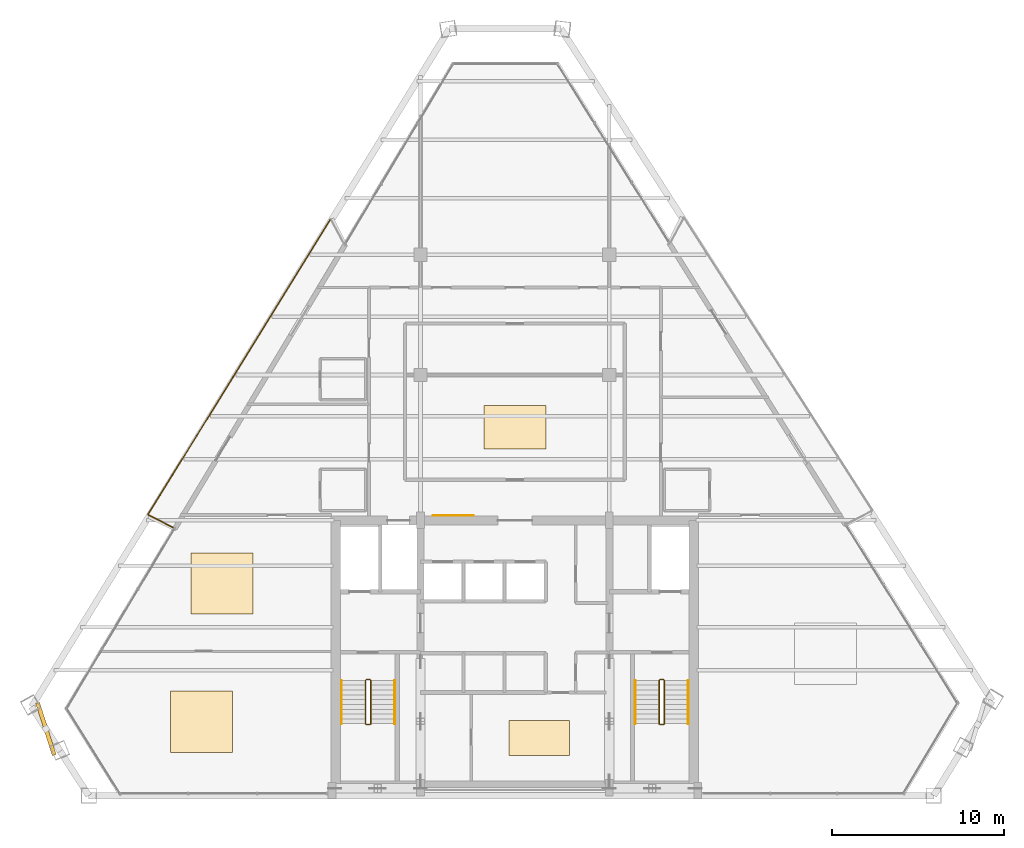
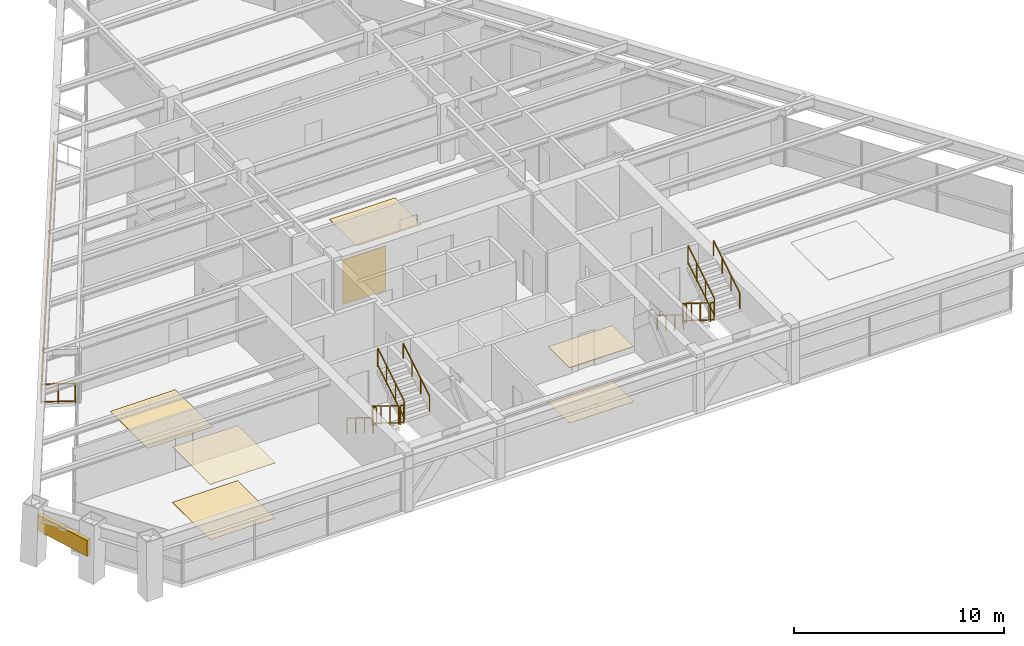
# One storey, part 11 of 12: 14 railings, 7 coverings, 1 shading device.
"""IFC4 building model written with IfcOpenShell, lengths in metres."""

from ifc_helpers import new_model, si_unit, direction, frame, origin, origin_2d, place, context, subcontext, project, spatial, rectangle, extrude, source, transform, mapped, material, layer, layer_set, type_object, type_shapes, element, save


model = new_model("IFC4")

# Units and contexts
model_context = context("Model", 3, precision=1e-05, world=origin(), true_north=direction((0.0, 1.0)))
body_context = subcontext(model_context, "Body", "Model", "MODEL_VIEW")
ifc_project = project(units=[si_unit("LENGTHUNIT", "METRE"), si_unit("AREAUNIT", "SQUARE_METRE"), si_unit("VOLUMEUNIT", "CUBIC_METRE"), si_unit("PLANEANGLEUNIT", "RADIAN"), si_unit("MASSUNIT", "GRAM", prefix="KILO")], contexts=[model_context])

# Site, building, storey
site_placement = place(None, origin())
site = spatial("IfcSite", under=ifc_project, at=site_placement, CompositionType="ELEMENT")
building_placement = place(site_placement, origin())
building = spatial("IfcBuilding", under=site, at=building_placement, Name="Varnakhor Terracotta Tower", CompositionType="ELEMENT")
storey_placement = place(building_placement, frame((0.0, 0.0, 220.0)))
storey = spatial("IfcBuildingStorey", under=building, at=storey_placement, Name="L56", CompositionType="ELEMENT", Elevation=220.0)

# Railings
ifc_material_1 = material(Name="Stainless Steel & Laminated Glass Guardrail", Category="steel")
railing_type_1 = type_object("IfcRailingType", Name="RLG-LOGGIA-GUARD-1150", PredefinedType="GUARDRAIL", material=ifc_material_1)
railing_1_placement = place(storey_placement, frame((-19.928466796875, 15.617919921875, 0.0)))
element("IfcRailing", 1, at=railing_1_placement, inside=storey, type_object=railing_type_1, Name="L56 W Loggia Glass Guard 1", PredefinedType="GUARDRAIL", context=body_context, shape_type="SweptSolid", body=[
    extrude(rectangle(XDim=0.048095703125, YDim=0.048095703125, at=origin_2d()), frame((0.0, 0.0, 1.1259765625), z_axis=(-0.887459543272, 0.460885624701, 0.0), x_axis=(-0.460885624701, -0.887459543272, 0.0)), (0.0, 0.0, 1.0), 1.62939453125),
    extrude(rectangle(XDim=0.048095703125, YDim=0.048095703125, at=origin_2d()), frame((0.0, 0.0, 0.10009765625), z_axis=(-0.887459543272, 0.460885624701, 0.0), x_axis=(-0.460885624701, -0.887459543272, 0.0)), (0.0, 0.0, 1.0), 1.62939453125),
    extrude(rectangle(XDim=0.0419921875, YDim=0.0419921875, at=origin_2d()), origin(), (0.0, 0.0, 1.0), 1.101806640625),
    extrude(rectangle(XDim=0.0419921875, YDim=0.0419921875, at=origin_2d()), frame((-0.72314453125, 0.37548828125, 0.0)), (0.0, 0.0, 1.0), 1.101806640625),
    extrude(rectangle(XDim=0.0419921875, YDim=0.0419921875, at=origin_2d()), frame((-1.446044921875, 0.7509765625, 0.0)), (0.0, 0.0, 1.0), 1.101806640625),
])
railing_2_placement = place(storey_placement, frame((-21.37451171875, 16.368896484375, 0.0)))
element("IfcRailing", 2, at=railing_2_placement, inside=storey, type_object=railing_type_1, Name="L56 W Loggia Glass Guard 2", PredefinedType="GUARDRAIL", context=body_context, shape_type="SweptSolid", body=[
    extrude(rectangle(XDim=0.048095703125, YDim=0.048095703125, at=origin_2d()), frame((0.0, 0.0, 1.1259765625), z_axis=(0.525701948724, 0.850668831631, 0.0), x_axis=(-0.850668831631, 0.525701948724, 0.0)), (0.0, 0.0, 1.0), 20.235595703125),
    extrude(rectangle(XDim=0.048095703125, YDim=0.048095703125, at=origin_2d()), frame((0.0, 0.0, 0.10009765625), z_axis=(0.525701948724, 0.850668831631, 0.0), x_axis=(-0.850668831631, 0.525701948724, 0.0)), (0.0, 0.0, 1.0), 20.235595703125),
    extrude(rectangle(XDim=0.0419921875, YDim=0.0419921875, at=origin_2d()), origin(), (0.0, 0.0, 1.0), 1.101806640625),
    extrude(rectangle(XDim=0.0419921875, YDim=0.0419921875, at=origin_2d()), frame((0.709228515625, 1.147705078125, 0.0)), (0.0, 0.0, 1.0), 1.101806640625),
    extrude(rectangle(XDim=0.0419921875, YDim=0.0419921875, at=origin_2d()), frame((1.41845703125, 2.295166015625, 0.0)), (0.0, 0.0, 1.0), 1.101806640625),
    extrude(rectangle(XDim=0.0419921875, YDim=0.0419921875, at=origin_2d()), frame((2.127685546875, 3.44287109375, 0.0)), (0.0, 0.0, 1.0), 1.101806640625),
    extrude(rectangle(XDim=0.0419921875, YDim=0.0419921875, at=origin_2d()), frame((2.836669921875, 4.59033203125, 0.0)), (0.0, 0.0, 1.0), 1.101806640625),
    extrude(rectangle(XDim=0.0419921875, YDim=0.0419921875, at=origin_2d()), frame((3.5458984375, 5.738037109375, 0.0)), (0.0, 0.0, 1.0), 1.101806640625),
    extrude(rectangle(XDim=0.0419921875, YDim=0.0419921875, at=origin_2d()), frame((4.255126953125, 6.885498046875, 0.0)), (0.0, 0.0, 1.0), 1.101806640625),
    extrude(rectangle(XDim=0.0419921875, YDim=0.0419921875, at=origin_2d()), frame((4.96435546875, 8.033203125, 0.0)), (0.0, 0.0, 1.0), 1.101806640625),
    extrude(rectangle(XDim=0.0419921875, YDim=0.0419921875, at=origin_2d()), frame((5.673583984375, 9.1806640625, 0.0)), (0.0, 0.0, 1.0), 1.101806640625),
    extrude(rectangle(XDim=0.0419921875, YDim=0.0419921875, at=origin_2d()), frame((6.3828125, 10.328369140625, 0.0)), (0.0, 0.0, 1.0), 1.101806640625),
    extrude(rectangle(XDim=0.0419921875, YDim=0.0419921875, at=origin_2d()), frame((7.092041015625, 11.475830078125, 0.0)), (0.0, 0.0, 1.0), 1.101806640625),
    extrude(rectangle(XDim=0.0419921875, YDim=0.0419921875, at=origin_2d()), frame((7.80126953125, 12.62353515625, 0.0)), (0.0, 0.0, 1.0), 1.101806640625),
    extrude(rectangle(XDim=0.0419921875, YDim=0.0419921875, at=origin_2d()), frame((8.51025390625, 13.77099609375, 0.0)), (0.0, 0.0, 1.0), 1.101806640625),
    extrude(rectangle(XDim=0.0419921875, YDim=0.0419921875, at=origin_2d()), frame((9.219482421875, 14.918701171875, 0.0)), (0.0, 0.0, 1.0), 1.101806640625),
    extrude(rectangle(XDim=0.0419921875, YDim=0.0419921875, at=origin_2d()), frame((9.9287109375, 16.066162109375, 0.0)), (0.0, 0.0, 1.0), 1.101806640625),
    extrude(rectangle(XDim=0.0419921875, YDim=0.0419921875, at=origin_2d()), frame((10.637939453125, 17.2138671875, 0.0)), (0.0, 0.0, 1.0), 1.101806640625),
])
ifc_material_2 = material(Name="Painted Steel Stairwell Guardrail", Category="steel")
railing_type_2 = type_object("IfcRailingType", Name="RLG-STAIR-GUARD-1120", PredefinedType="GUARDRAIL", material=ifc_material_2)
railing_3_placement = place(storey_placement, frame((-8.699951171875, 6.7099609375, 0.172607421875)))
element("IfcRailing", 3, at=railing_3_placement, inside=storey, type_object=railing_type_2, Name="L56 ST-1 stair guard 1", PredefinedType="GUARDRAIL", context=body_context, shape_type="SweptSolid", body=[
    extrude(rectangle(XDim=0.048095703125, YDim=0.048095703125, at=origin_2d()), frame((0.0, 0.0, 1.09619140625), z_axis=(0.0, -0.851400495292, 0.524516154772), x_axis=(1.0, 0.0, 0.0)), (0.0, 0.0, 1.0), 2.9599609375),
    extrude(rectangle(XDim=0.048095703125, YDim=0.048095703125, at=origin_2d()), frame((0.0, 0.0, 0.10009765625), z_axis=(0.0, -0.851400495292, 0.524516154772), x_axis=(1.0, 0.0, 0.0)), (0.0, 0.0, 1.0), 2.9599609375),
    extrude(rectangle(XDim=0.0419921875, YDim=0.0419921875, at=origin_2d()), origin(), (0.0, 0.0, 1.0), 1.072021484375),
    extrude(rectangle(XDim=0.0419921875, YDim=0.0419921875, at=origin_2d()), frame((0.0, -0.840087890625, 0.517578125)), (0.0, 0.0, 1.0), 1.072021484375),
    extrude(rectangle(XDim=0.0419921875, YDim=0.0419921875, at=origin_2d()), frame((0.0, -1.679931640625, 1.034912109375)), (0.0, 0.0, 1.0), 1.072021484375),
    extrude(rectangle(XDim=0.0419921875, YDim=0.0419921875, at=origin_2d()), frame((0.0, -2.52001953125, 1.552490234375)), (0.0, 0.0, 1.0), 1.072021484375),
])
railing_4_placement = place(storey_placement, frame((-8.64990234375, 4.139892578125, 1.72509765625)))
element("IfcRailing", 4, at=railing_4_placement, inside=storey, type_object=railing_type_2, Name="L56 ST-1 stair guard 2", PredefinedType="GUARDRAIL", context=body_context, shape_type="SweptSolid", body=[
    extrude(rectangle(XDim=0.048095703125, YDim=0.048095703125, at=origin_2d()), frame((0.0, 0.0, 1.09619140625), z_axis=(1.0, 0.0, 0.0), x_axis=(0.0, 1.0, 0.0)), (0.0, 0.0, 1.0), 0.199951171875),
    extrude(rectangle(XDim=0.048095703125, YDim=0.048095703125, at=origin_2d()), frame((0.0, 0.0, 0.10009765625), z_axis=(1.0, 0.0, 0.0), x_axis=(0.0, 1.0, 0.0)), (0.0, 0.0, 1.0), 0.199951171875),
    extrude(rectangle(XDim=0.0419921875, YDim=0.0419921875, at=origin_2d()), origin(), (0.0, 0.0, 1.0), 1.072021484375),
    extrude(rectangle(XDim=0.0419921875, YDim=0.0419921875, at=origin_2d()), frame((0.199951171875, 0.0, 0.0)), (0.0, 0.0, 1.0), 1.072021484375),
])
railing_5_placement = place(storey_placement, frame((-8.39990234375, 4.18994140625, 1.8974609375)))
element("IfcRailing", 5, at=railing_5_placement, inside=storey, type_object=railing_type_2, Name="L56 ST-1 stair guard 3", PredefinedType="GUARDRAIL", context=body_context, shape_type="SweptSolid", body=[
    extrude(rectangle(XDim=0.048095703125, YDim=0.048095703125, at=origin_2d()), frame((0.0, 0.0, 1.09619140625), z_axis=(0.0, 0.851400495292, 0.524516154772), x_axis=(-1.0, 0.0, 0.0)), (0.0, 0.0, 1.0), 2.9599609375),
    extrude(rectangle(XDim=0.048095703125, YDim=0.048095703125, at=origin_2d()), frame((0.0, 0.0, 0.10009765625), z_axis=(0.0, 0.851400495292, 0.524516154772), x_axis=(-1.0, 0.0, 0.0)), (0.0, 0.0, 1.0), 2.9599609375),
    extrude(rectangle(XDim=0.0419921875, YDim=0.0419921875, at=origin_2d()), origin(), (0.0, 0.0, 1.0), 1.072021484375),
    extrude(rectangle(XDim=0.0419921875, YDim=0.0419921875, at=origin_2d()), frame((0.0, 0.840087890625, 0.517578125)), (0.0, 0.0, 1.0), 1.072021484375),
    extrude(rectangle(XDim=0.0419921875, YDim=0.0419921875, at=origin_2d()), frame((0.0, 1.679931640625, 1.034912109375)), (0.0, 0.0, 1.0), 1.072021484375),
    extrude(rectangle(XDim=0.0419921875, YDim=0.0419921875, at=origin_2d()), frame((0.0, 2.52001953125, 1.552490234375)), (0.0, 0.0, 1.0), 1.072021484375),
])
railing_6_placement = place(storey_placement, frame((-8.64990234375, 6.760009765625, 0.0)))
element("IfcRailing", 6, at=railing_6_placement, inside=storey, type_object=railing_type_2, Name="L56 ST-1 stair guard 4", PredefinedType="GUARDRAIL", context=body_context, shape_type="SweptSolid", body=[
    extrude(rectangle(XDim=0.048095703125, YDim=0.048095703125, at=origin_2d()), frame((0.0, 0.0, 1.09619140625), z_axis=(1.0, 0.0, 0.0), x_axis=(0.0, 1.0, 0.0)), (0.0, 0.0, 1.0), 0.199951171875),
    extrude(rectangle(XDim=0.048095703125, YDim=0.048095703125, at=origin_2d()), frame((0.0, 0.0, 0.10009765625), z_axis=(1.0, 0.0, 0.0), x_axis=(0.0, 1.0, 0.0)), (0.0, 0.0, 1.0), 0.199951171875),
    extrude(rectangle(XDim=0.0419921875, YDim=0.0419921875, at=origin_2d()), origin(), (0.0, 0.0, 1.0), 1.072021484375),
    extrude(rectangle(XDim=0.0419921875, YDim=0.0419921875, at=origin_2d()), frame((0.199951171875, 0.0, 0.0)), (0.0, 0.0, 1.0), 1.072021484375),
])
railing_7_placement = place(storey_placement, frame((8.39990234375, 6.7099609375, 0.172607421875)))
element("IfcRailing", 7, at=railing_7_placement, inside=storey, type_object=railing_type_2, Name="L56 ST-2 stair guard 1", PredefinedType="GUARDRAIL", context=body_context, shape_type="SweptSolid", body=[
    extrude(rectangle(XDim=0.048095703125, YDim=0.048095703125, at=origin_2d()), frame((0.0, 0.0, 1.09619140625), z_axis=(0.0, -0.851400495292, 0.524516154772), x_axis=(1.0, 0.0, 0.0)), (0.0, 0.0, 1.0), 2.9599609375),
    extrude(rectangle(XDim=0.048095703125, YDim=0.048095703125, at=origin_2d()), frame((0.0, 0.0, 0.10009765625), z_axis=(0.0, -0.851400495292, 0.524516154772), x_axis=(1.0, 0.0, 0.0)), (0.0, 0.0, 1.0), 2.9599609375),
    extrude(rectangle(XDim=0.0419921875, YDim=0.0419921875, at=origin_2d()), origin(), (0.0, 0.0, 1.0), 1.072021484375),
    extrude(rectangle(XDim=0.0419921875, YDim=0.0419921875, at=origin_2d()), frame((0.0, -0.840087890625, 0.517578125)), (0.0, 0.0, 1.0), 1.072021484375),
    extrude(rectangle(XDim=0.0419921875, YDim=0.0419921875, at=origin_2d()), frame((0.0, -1.679931640625, 1.034912109375)), (0.0, 0.0, 1.0), 1.072021484375),
    extrude(rectangle(XDim=0.0419921875, YDim=0.0419921875, at=origin_2d()), frame((0.0, -2.52001953125, 1.552490234375)), (0.0, 0.0, 1.0), 1.072021484375),
])
railing_8_placement = place(storey_placement, frame((8.449951171875, 4.139892578125, 1.72509765625)))
element("IfcRailing", 8, at=railing_8_placement, inside=storey, type_object=railing_type_2, Name="L56 ST-2 stair guard 2", PredefinedType="GUARDRAIL", context=body_context, shape_type="SweptSolid", body=[
    extrude(rectangle(XDim=0.048095703125, YDim=0.048095703125, at=origin_2d()), frame((0.0, 0.0, 1.09619140625), z_axis=(1.0, 0.0, 0.0), x_axis=(0.0, 1.0, 0.0)), (0.0, 0.0, 1.0), 0.199951171875),
    extrude(rectangle(XDim=0.048095703125, YDim=0.048095703125, at=origin_2d()), frame((0.0, 0.0, 0.10009765625), z_axis=(1.0, 0.0, 0.0), x_axis=(0.0, 1.0, 0.0)), (0.0, 0.0, 1.0), 0.199951171875),
    extrude(rectangle(XDim=0.0419921875, YDim=0.0419921875, at=origin_2d()), origin(), (0.0, 0.0, 1.0), 1.072021484375),
    extrude(rectangle(XDim=0.0419921875, YDim=0.0419921875, at=origin_2d()), frame((0.199951171875, 0.0, 0.0)), (0.0, 0.0, 1.0), 1.072021484375),
])
railing_9_placement = place(storey_placement, frame((8.699951171875, 4.18994140625, 1.8974609375)))
element("IfcRailing", 9, at=railing_9_placement, inside=storey, type_object=railing_type_2, Name="L56 ST-2 stair guard 3", PredefinedType="GUARDRAIL", context=body_context, shape_type="SweptSolid", body=[
    extrude(rectangle(XDim=0.048095703125, YDim=0.048095703125, at=origin_2d()), frame((0.0, 0.0, 1.09619140625), z_axis=(0.0, 0.851400495292, 0.524516154772), x_axis=(-1.0, 0.0, 0.0)), (0.0, 0.0, 1.0), 2.9599609375),
    extrude(rectangle(XDim=0.048095703125, YDim=0.048095703125, at=origin_2d()), frame((0.0, 0.0, 0.10009765625), z_axis=(0.0, 0.851400495292, 0.524516154772), x_axis=(-1.0, 0.0, 0.0)), (0.0, 0.0, 1.0), 2.9599609375),
    extrude(rectangle(XDim=0.0419921875, YDim=0.0419921875, at=origin_2d()), origin(), (0.0, 0.0, 1.0), 1.072021484375),
    extrude(rectangle(XDim=0.0419921875, YDim=0.0419921875, at=origin_2d()), frame((0.0, 0.840087890625, 0.517578125)), (0.0, 0.0, 1.0), 1.072021484375),
    extrude(rectangle(XDim=0.0419921875, YDim=0.0419921875, at=origin_2d()), frame((0.0, 1.679931640625, 1.034912109375)), (0.0, 0.0, 1.0), 1.072021484375),
    extrude(rectangle(XDim=0.0419921875, YDim=0.0419921875, at=origin_2d()), frame((0.0, 2.52001953125, 1.552490234375)), (0.0, 0.0, 1.0), 1.072021484375),
])
railing_10_placement = place(storey_placement, frame((8.449951171875, 6.760009765625, 0.0)))
element("IfcRailing", 10, at=railing_10_placement, inside=storey, type_object=railing_type_2, Name="L56 ST-2 stair guard 4", PredefinedType="GUARDRAIL", context=body_context, shape_type="SweptSolid", body=[
    extrude(rectangle(XDim=0.048095703125, YDim=0.048095703125, at=origin_2d()), frame((0.0, 0.0, 1.09619140625), z_axis=(1.0, 0.0, 0.0), x_axis=(0.0, 1.0, 0.0)), (0.0, 0.0, 1.0), 0.199951171875),
    extrude(rectangle(XDim=0.048095703125, YDim=0.048095703125, at=origin_2d()), frame((0.0, 0.0, 0.10009765625), z_axis=(1.0, 0.0, 0.0), x_axis=(0.0, 1.0, 0.0)), (0.0, 0.0, 1.0), 0.199951171875),
    extrude(rectangle(XDim=0.0419921875, YDim=0.0419921875, at=origin_2d()), origin(), (0.0, 0.0, 1.0), 1.072021484375),
    extrude(rectangle(XDim=0.0419921875, YDim=0.0419921875, at=origin_2d()), frame((0.199951171875, 0.0, 0.0)), (0.0, 0.0, 1.0), 1.072021484375),
])
ifc_material_3 = material(Name="Brushed Stainless Steel Handrail", Category="steel")
railing_type_3 = type_object("IfcRailingType", Name="RLG-STAIR-HANDRAIL-920", PredefinedType="HANDRAIL", material=ifc_material_3)
railing_11_placement = place(storey_placement, frame((-10.10009765625, 6.7099609375, 0.172607421875)))
element("IfcRailing", 11, at=railing_11_placement, inside=storey, type_object=railing_type_3, Name="L56 ST-1 stair handrail 1", PredefinedType="HANDRAIL", context=body_context, shape_type="SweptSolid", body=[
    extrude(rectangle(XDim=0.048095703125, YDim=0.048095703125, at=origin_2d()), frame((0.0, 0.0, 0.89599609375), z_axis=(0.0, -0.851400495292, 0.524516154772), x_axis=(1.0, 0.0, 0.0)), (0.0, 0.0, 1.0), 2.9599609375),
    extrude(rectangle(XDim=0.0419921875, YDim=0.0419921875, at=origin_2d()), origin(), (0.0, 0.0, 1.0), 0.871826171875),
    extrude(rectangle(XDim=0.0419921875, YDim=0.0419921875, at=origin_2d()), frame((0.0, -0.840087890625, 0.517578125)), (0.0, 0.0, 1.0), 0.871826171875),
    extrude(rectangle(XDim=0.0419921875, YDim=0.0419921875, at=origin_2d()), frame((0.0, -1.679931640625, 1.034912109375)), (0.0, 0.0, 1.0), 0.871826171875),
    extrude(rectangle(XDim=0.0419921875, YDim=0.0419921875, at=origin_2d()), frame((0.0, -2.52001953125, 1.552490234375)), (0.0, 0.0, 1.0), 0.871826171875),
])
railing_12_placement = place(storey_placement, frame((-7.0, 4.18994140625, 1.8974609375)))
element("IfcRailing", 12, at=railing_12_placement, inside=storey, type_object=railing_type_3, Name="L56 ST-1 stair handrail 2", PredefinedType="HANDRAIL", context=body_context, shape_type="SweptSolid", body=[
    extrude(rectangle(XDim=0.048095703125, YDim=0.048095703125, at=origin_2d()), frame((0.0, 0.0, 0.89599609375), z_axis=(0.0, 0.851400495292, 0.524516154772), x_axis=(-1.0, 0.0, 0.0)), (0.0, 0.0, 1.0), 2.9599609375),
    extrude(rectangle(XDim=0.0419921875, YDim=0.0419921875, at=origin_2d()), origin(), (0.0, 0.0, 1.0), 0.871826171875),
    extrude(rectangle(XDim=0.0419921875, YDim=0.0419921875, at=origin_2d()), frame((0.0, 0.840087890625, 0.517578125)), (0.0, 0.0, 1.0), 0.871826171875),
    extrude(rectangle(XDim=0.0419921875, YDim=0.0419921875, at=origin_2d()), frame((0.0, 1.679931640625, 1.034912109375)), (0.0, 0.0, 1.0), 0.871826171875),
    extrude(rectangle(XDim=0.0419921875, YDim=0.0419921875, at=origin_2d()), frame((0.0, 2.52001953125, 1.552490234375)), (0.0, 0.0, 1.0), 0.871826171875),
])
railing_13_placement = place(storey_placement, frame((7.0, 6.7099609375, 0.172607421875)))
element("IfcRailing", 13, at=railing_13_placement, inside=storey, type_object=railing_type_3, Name="L56 ST-2 stair handrail 1", PredefinedType="HANDRAIL", context=body_context, shape_type="SweptSolid", body=[
    extrude(rectangle(XDim=0.048095703125, YDim=0.048095703125, at=origin_2d()), frame((0.0, 0.0, 0.89599609375), z_axis=(0.0, -0.851400495292, 0.524516154772), x_axis=(1.0, 0.0, 0.0)), (0.0, 0.0, 1.0), 2.9599609375),
    extrude(rectangle(XDim=0.0419921875, YDim=0.0419921875, at=origin_2d()), origin(), (0.0, 0.0, 1.0), 0.871826171875),
    extrude(rectangle(XDim=0.0419921875, YDim=0.0419921875, at=origin_2d()), frame((0.0, -0.840087890625, 0.517578125)), (0.0, 0.0, 1.0), 0.871826171875),
    extrude(rectangle(XDim=0.0419921875, YDim=0.0419921875, at=origin_2d()), frame((0.0, -1.679931640625, 1.034912109375)), (0.0, 0.0, 1.0), 0.871826171875),
    extrude(rectangle(XDim=0.0419921875, YDim=0.0419921875, at=origin_2d()), frame((0.0, -2.52001953125, 1.552490234375)), (0.0, 0.0, 1.0), 0.871826171875),
])
railing_14_placement = place(storey_placement, frame((10.10009765625, 4.18994140625, 1.8974609375)))
element("IfcRailing", 14, at=railing_14_placement, inside=storey, type_object=railing_type_3, Name="L56 ST-2 stair handrail 2", PredefinedType="HANDRAIL", context=body_context, shape_type="SweptSolid", body=[
    extrude(rectangle(XDim=0.048095703125, YDim=0.048095703125, at=origin_2d()), frame((0.0, 0.0, 0.89599609375), z_axis=(0.0, 0.851400495292, 0.524516154772), x_axis=(-1.0, 0.0, 0.0)), (0.0, 0.0, 1.0), 2.9599609375),
    extrude(rectangle(XDim=0.0419921875, YDim=0.0419921875, at=origin_2d()), origin(), (0.0, 0.0, 1.0), 0.871826171875),
    extrude(rectangle(XDim=0.0419921875, YDim=0.0419921875, at=origin_2d()), frame((0.0, 0.840087890625, 0.517578125)), (0.0, 0.0, 1.0), 0.871826171875),
    extrude(rectangle(XDim=0.0419921875, YDim=0.0419921875, at=origin_2d()), frame((0.0, 1.679931640625, 1.034912109375)), (0.0, 0.0, 1.0), 0.871826171875),
    extrude(rectangle(XDim=0.0419921875, YDim=0.0419921875, at=origin_2d()), frame((0.0, 2.52001953125, 1.552490234375)), (0.0, 0.0, 1.0), 0.871826171875),
])

# Shading device
ifc_material_4 = material(Name="Extruded Architectural Terracotta Screen", Category="masonry")
shading_device_type = type_object("IfcShadingDeviceType", Name="TERRACOTTA SOLAR SCREEN W", PredefinedType="USERDEFINED", material=ifc_material_4)
shared_shape_1 = source(origin(), body_context, "Body", "SweptSolid", [
    extrude(rectangle(XDim=3.199951171875, YDim=0.239990234375, at=origin_2d()), origin(), (0.0, 0.0, 1.0), 0.919921875),
])
type_shapes(shading_device_type, [shared_shape_1])
shading_device_placement = place(storey_placement, frame((-27.3212890625, 3.884765625, 1.56201171875), z_axis=(0.0, 0.0, 1.0), x_axis=(0.303866785501, -0.952714530523, 0.0)))
element("IfcShadingDevice", 15, at=shading_device_placement, inside=storey, type_object=shading_device_type, Name="L56 W Terracotta Solar Screen", ObjectType="SCREEN", PredefinedType="USERDEFINED", context=body_context, shape_type="MappedRepresentation", body=[
    mapped(shared_shape_1, transform((0.0, 0.0, 0.0), scale=1.0)),
])

# Coverings
ifc_material_5 = material(Name="Extruded Architectural Terracotta Cladding", Category="masonry")
ifc_layer_1 = layer(ifc_material_5, 0.044921875, Name="Extruded Architectural Terracotta Cladding")
ifc_layer_set_1 = layer_set([ifc_layer_1], Name="Extruded Architectural Terracotta Cladding")
covering_type_1 = type_object("IfcCoveringType", Name="COV-CLAD-TERRACOTTA", PredefinedType="CLADDING", material=ifc_layer_set_1)
shared_shape_2 = source(origin(), body_context, "Body", "SweptSolid", [
    extrude(rectangle(XDim=2.39990234375, YDim=0.030029296875, at=origin_2d()), origin(), (0.0, 0.0, 1.0), 2.60009765625),
])
type_shapes(covering_type_1, [shared_shape_2])
covering_1_placement = place(storey_placement, frame((-3.60009765625, 16.31201171875, 0.0), z_axis=(0.0, 0.0, 1.0), x_axis=(1.0, 0.0, 0.0)))
element("IfcCovering", 16, at=covering_1_placement, inside=storey, type_object=covering_type_1, Name="L56 Core Lobby Limestone Cladding", PredefinedType="CLADDING", context=body_context, shape_type="MappedRepresentation", body=[
    mapped(shared_shape_2, transform((0.0, 0.0, 0.0), scale=1.0)),
])
ifc_material_6 = material(Name="Honed Riyadh Limestone Flooring", Category="masonry")
ifc_layer_2 = layer(ifc_material_6, 0.030029296875, Name="Honed Riyadh Limestone Flooring")
ifc_layer_set_2 = layer_set([ifc_layer_2], Name="Honed Riyadh Limestone Flooring")
covering_type_2 = type_object("IfcCoveringType", Name="COV-FLOOR-LIMESTONE", PredefinedType="FLOORING", material=ifc_layer_set_2)
shared_shape_3 = source(origin(), body_context, "Body", "SweptSolid", [
    extrude(rectangle(XDim=3.60009765625, YDim=3.60009765625, at=origin_2d()), origin(), (0.0, 0.0, 1.0), 0.02001953125),
])
covering_2_placement = place(storey_placement, frame((-18.26611328125, 4.303955078125, 0.0), z_axis=(0.0, 0.0, 1.0), x_axis=(1.0, 0.0, 0.0)))
element("IfcCovering", 17, at=covering_2_placement, inside=storey, type_object=covering_type_2, Name="L56 Honed Stone Flooring 2", PredefinedType="FLOORING", context=body_context, shape_type="MappedRepresentation", body=[
    mapped(shared_shape_3, transform((0.0, 0.0, 0.0), scale=1.0)),
])
ifc_material_7 = material(Name="Perforated Acoustic Mineral-Fibre Ceiling", Category="gypsum")
ifc_layer_3 = layer(ifc_material_7, 0.02490234375, Name="Perforated Acoustic Mineral-Fibre Ceiling")
ifc_layer_set_3 = layer_set([ifc_layer_3], Name="Perforated Acoustic Mineral-Fibre Ceiling")
covering_type_3 = type_object("IfcCoveringType", Name="COV-CEILING-ACOUSTIC", PredefinedType="CEILING", material=ifc_layer_set_3)
shared_shape_4 = source(origin(), body_context, "Body", "SweptSolid", [
    extrude(rectangle(XDim=3.60009765625, YDim=3.60009765625, at=origin_2d()), origin(), (0.0, 0.0, 1.0), 0.02392578125),
])
covering_3_placement = place(storey_placement, frame((-18.26611328125, 4.303955078125, 3.216064453125), z_axis=(0.0, 0.0, 1.0), x_axis=(1.0, 0.0, 0.0)))
element("IfcCovering", 18, at=covering_3_placement, inside=storey, type_object=covering_type_3, Name="L56 Acoustic Ceiling Panel 2", PredefinedType="CEILING", context=body_context, shape_type="MappedRepresentation", body=[
    mapped(shared_shape_4, transform((0.0, 0.0, 0.0), scale=1.0)),
])
shared_shape_5 = source(origin(), body_context, "Body", "SweptSolid", [
    extrude(rectangle(XDim=3.547119140625, YDim=2.041015625, at=origin_2d()), origin(), (0.0, 0.0, 1.0), 0.02001953125),
])
covering_4_placement = place(storey_placement, frame((1.4150390625, 3.35498046875, 0.0), z_axis=(0.0, 0.0, 1.0), x_axis=(1.0, 0.0, 0.0)))
element("IfcCovering", 19, at=covering_4_placement, inside=storey, type_object=covering_type_2, Name="L56 Honed Stone Flooring 1", PredefinedType="FLOORING", context=body_context, shape_type="MappedRepresentation", body=[
    mapped(shared_shape_5, transform((0.0, 0.0, 0.0), scale=1.0)),
])
shared_shape_6 = source(origin(), body_context, "Body", "SweptSolid", [
    extrude(rectangle(XDim=3.547119140625, YDim=2.041015625, at=origin_2d()), origin(), (0.0, 0.0, 1.0), 0.02392578125),
])
covering_5_placement = place(storey_placement, frame((1.4150390625, 3.35498046875, 3.216064453125), z_axis=(0.0, 0.0, 1.0), x_axis=(1.0, 0.0, 0.0)))
element("IfcCovering", 20, at=covering_5_placement, inside=storey, type_object=covering_type_3, Name="L56 Acoustic Ceiling Panel 1", PredefinedType="CEILING", context=body_context, shape_type="MappedRepresentation", body=[
    mapped(shared_shape_6, transform((0.0, 0.0, 0.0), scale=1.0)),
])
shared_shape_7 = source(origin(), body_context, "Body", "SweptSolid", [
    extrude(rectangle(XDim=3.60009765625, YDim=3.56396484375, at=origin_2d()), origin(), (0.0, 0.0, 1.0), 0.02001953125),
])
covering_6_placement = place(storey_placement, frame((-17.054931640625, 12.361083984375, 0.0), z_axis=(0.0, 0.0, 1.0), x_axis=(1.0, 0.0, 0.0)))
element("IfcCovering", 21, at=covering_6_placement, inside=storey, type_object=covering_type_2, Name="L56 Honed Stone Flooring 4", PredefinedType="FLOORING", context=body_context, shape_type="MappedRepresentation", body=[
    mapped(shared_shape_7, transform((0.0, 0.0, 0.0), scale=1.0)),
])
shared_shape_8 = source(origin(), body_context, "Body", "SweptSolid", [
    extrude(rectangle(XDim=3.60009765625, YDim=2.5439453125, at=origin_2d()), origin(), (0.0, 0.0, 1.0), 0.02001953125),
])
covering_7_placement = place(storey_placement, frame((0.0, 21.4609375, 0.0), z_axis=(0.0, 0.0, 1.0), x_axis=(1.0, 0.0, 0.0)))
element("IfcCovering", 22, at=covering_7_placement, inside=storey, type_object=covering_type_2, Name="L56 Honed Stone Flooring 5", PredefinedType="FLOORING", context=body_context, shape_type="MappedRepresentation", body=[
    mapped(shared_shape_8, transform((0.0, 0.0, 0.0), scale=1.0)),
])

save(model, "model.ifc")
